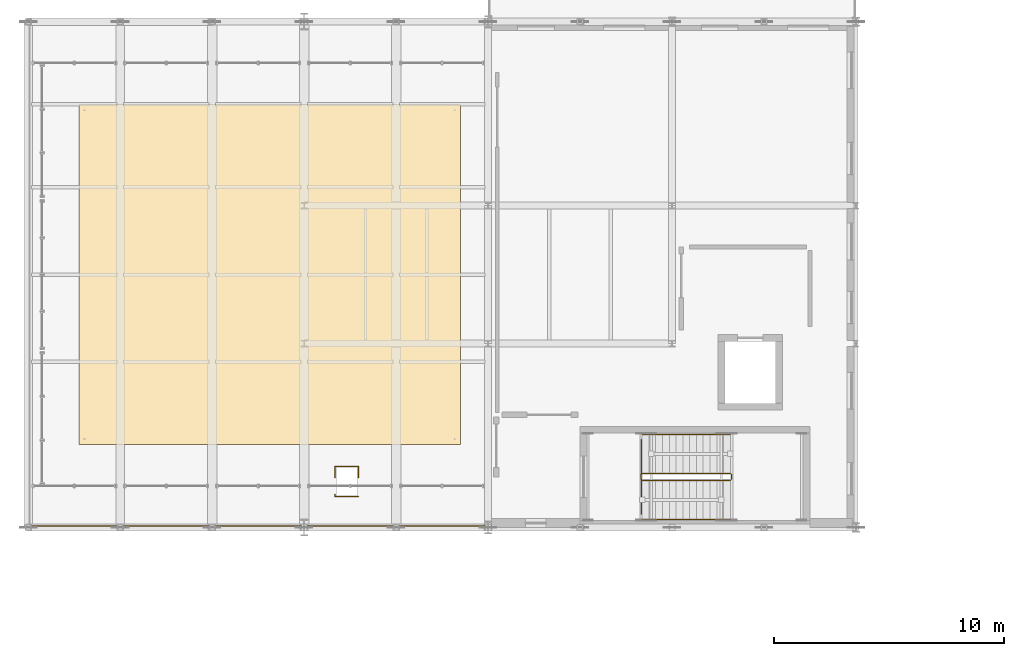
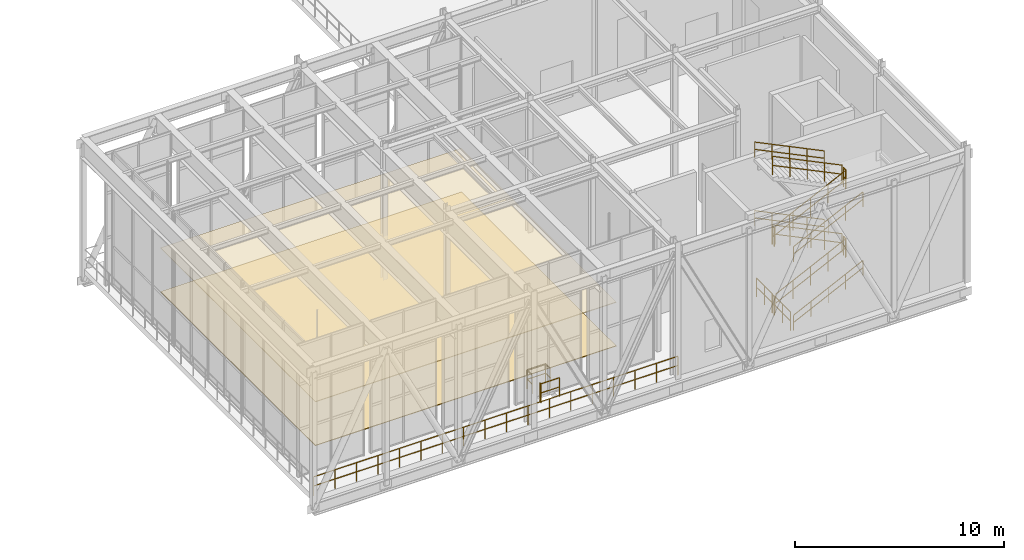
# One storey, part 125 of 138: 17 railings, 2 coverings.
"""IFC4 building model written with IfcOpenShell, lengths in metres."""

from ifc_helpers import new_model, si_unit, direction, frame, origin, origin_2d, place, context, subcontext, project, spatial, polyline, circle, outline, extrude, material, layer, layer_set, type_object, element, save


model = new_model("IFC4")

# Units and contexts
model_context = context("Model", 3, precision=1e-05, world=origin(), true_north=direction((0.0, 1.0)))
body_context = subcontext(model_context, "Body", "Model", "MODEL_VIEW")
ifc_project = project(units=[si_unit("LENGTHUNIT", "METRE"), si_unit("AREAUNIT", "SQUARE_METRE"), si_unit("VOLUMEUNIT", "CUBIC_METRE"), si_unit("PLANEANGLEUNIT", "RADIAN"), si_unit("MASSUNIT", "GRAM", prefix="KILO")], contexts=[model_context])

# Site, building, storey
site_placement = place(None, origin())
site = spatial("IfcSite", under=ifc_project, at=site_placement, CompositionType="ELEMENT")
building_placement = place(site_placement, origin())
building = spatial("IfcBuilding", under=site, at=building_placement, Name="Sundkrona Museum", CompositionType="ELEMENT")
storey_placement = place(building_placement, frame((0.0, 0.0, 9.60009765625)))
storey = spatial("IfcBuildingStorey", under=building, at=storey_placement, Name="L02", CompositionType="ELEMENT", Elevation=9.60009765625)

# Coverings
ifc_material_1 = material(Name="Perforated Acoustic Gypsum and Mineral Wool Ceiling", Category="other")
ifc_layer_1 = layer(ifc_material_1, 0.0400390625)
ifc_layer_set_1 = layer_set([ifc_layer_1], Name="Perforated Acoustic Gypsum and Mineral Wool Ceiling")
covering_type_1 = type_object("IfcCoveringType", Name="COV-CEIL-AC", PredefinedType="CEILING", material=ifc_layer_set_1)
covering_1_placement = place(storey_placement, frame((0.0, 0.0, 2.5498046875)))
element("IfcCovering", 1, at=covering_1_placement, inside=storey, type_object=covering_type_1, Name="L02 Sculpture Cantilever Gallery Acoustic Ceiling", PredefinedType="CEILING", context=body_context, shape_type="SweptSolid", body=[
    extrude(outline(polyline([(6.199951171875, 35.60009765625), (22.800048828125, 35.60009765625), (22.800048828125, 50.39990234375), (6.199951171875, 50.39990234375), (6.199951171875, 35.60009765625)])), origin(), (0.0, 0.0, 1.0), 0.0400390625),
])
ifc_material_2 = material(Name="Polished Scanian Limestone Terrazzo Flooring", Category="masonry")
ifc_layer_2 = layer(ifc_material_2, 0.034912109375)
ifc_layer_set_2 = layer_set([ifc_layer_2], Name="Polished Scanian Limestone Terrazzo Flooring")
covering_type_2 = type_object("IfcCoveringType", Name="COV-FLR-TZ", PredefinedType="FLOORING", material=ifc_layer_set_2)
covering_2_placement = place(storey_placement, origin())
element("IfcCovering", 2, at=covering_2_placement, inside=storey, type_object=covering_type_2, Name="L02 Sculpture Cantilever Gallery Terrazzo Flooring", PredefinedType="FLOORING", context=body_context, shape_type="SweptSolid", body=[
    extrude(outline(polyline([(6.199951171875, 35.60009765625), (22.800048828125, 35.60009765625), (22.800048828125, 50.39990234375), (6.199951171875, 50.39990234375), (6.199951171875, 35.60009765625)])), origin(), (0.0, 0.0, 1.0), 0.034912109375),
])

# Railings
ifc_material_3 = material(Name="Painted Steel S355J2 and Laminated Glass Balustrade", Category="steel")
railing_type_1 = type_object("IfcRailingType", Name="RL-GUARD-1100", PredefinedType="BALUSTRADE", material=ifc_material_3)
railing_1_placement = place(storey_placement, frame((30.699951171875, 34.050048828125, 0.142822265625)))
element("IfcRailing", 3, at=railing_1_placement, inside=storey, type_object=railing_type_1, Name="L02 ST-4 stair guard 1", PredefinedType="BALUSTRADE", context=body_context, shape_type="SweptSolid", body=[
    extrude(circle(Radius=0.02392578125, at=origin_2d()), frame((0.0, 0.0, 1.076171875), z_axis=(0.900016444443, 0.0, 0.435855939195), x_axis=(0.0, 1.0, 0.0)), (0.0, 0.0, 1.0), 4.260986328125),
    extrude(circle(Radius=0.02392578125, at=origin_2d()), frame((0.0, 0.0, 0.550048828125), z_axis=(0.900016444443, 0.0, 0.435855939195), x_axis=(0.0, 1.0, 0.0)), (0.0, 0.0, 1.0), 4.260986328125),
    extrude(circle(Radius=0.02099609375, at=origin_2d()), origin(), (0.0, 0.0, 1.0), 1.052001953125),
    extrude(circle(Radius=0.02099609375, at=origin_2d()), frame((0.958740234375, 0.0, 0.46435546875)), (0.0, 0.0, 1.0), 1.052001953125),
    extrude(circle(Radius=0.02099609375, at=origin_2d()), frame((1.91748046875, 0.0, 0.9287109375)), (0.0, 0.0, 1.0), 1.052001953125),
    extrude(circle(Radius=0.02099609375, at=origin_2d()), frame((2.876220703125, 0.0, 1.392822265625)), (0.0, 0.0, 1.0), 1.052001953125),
    extrude(circle(Radius=0.02099609375, at=origin_2d()), frame((3.8349609375, 0.0, 1.857177734375)), (0.0, 0.0, 1.0), 1.052001953125),
])
railing_2_placement = place(storey_placement, frame((34.5849609375, 34.10009765625, 2.0)))
element("IfcRailing", 4, at=railing_2_placement, inside=storey, type_object=railing_type_1, Name="L02 ST-4 stair guard 2", PredefinedType="BALUSTRADE", context=body_context, shape_type="SweptSolid", body=[
    extrude(circle(Radius=0.02392578125, at=origin_2d()), frame((0.0, 0.0, 1.076171875), z_axis=(0.0, 1.0, 0.0), x_axis=(-1.0, 0.0, 0.0)), (0.0, 0.0, 1.0), 0.199951171875),
    extrude(circle(Radius=0.02392578125, at=origin_2d()), frame((0.0, 0.0, 0.550048828125), z_axis=(0.0, 1.0, 0.0), x_axis=(-1.0, 0.0, 0.0)), (0.0, 0.0, 1.0), 0.199951171875),
    extrude(circle(Radius=0.02099609375, at=origin_2d()), origin(), (0.0, 0.0, 1.0), 1.052001953125),
    extrude(circle(Radius=0.02099609375, at=origin_2d()), frame((0.0, 0.199951171875, 0.0)), (0.0, 0.0, 1.0), 1.052001953125),
])
railing_3_placement = place(storey_placement, frame((34.534912109375, 34.35009765625, 2.142822265625)))
element("IfcRailing", 5, at=railing_3_placement, inside=storey, type_object=railing_type_1, Name="L02 ST-4 stair guard 3", PredefinedType="BALUSTRADE", context=body_context, shape_type="SweptSolid", body=[
    extrude(circle(Radius=0.02392578125, at=origin_2d()), frame((0.0, 0.0, 1.076171875), z_axis=(-0.900016444443, 0.0, 0.435855939195), x_axis=(0.0, -1.0, 0.0)), (0.0, 0.0, 1.0), 4.260986328125),
    extrude(circle(Radius=0.02392578125, at=origin_2d()), frame((0.0, 0.0, 0.550048828125), z_axis=(-0.900016444443, 0.0, 0.435855939195), x_axis=(0.0, -1.0, 0.0)), (0.0, 0.0, 1.0), 4.260986328125),
    extrude(circle(Radius=0.02099609375, at=origin_2d()), origin(), (0.0, 0.0, 1.0), 1.052001953125),
    extrude(circle(Radius=0.02099609375, at=origin_2d()), frame((-0.958740234375, 0.0, 0.46435546875)), (0.0, 0.0, 1.0), 1.052001953125),
    extrude(circle(Radius=0.02099609375, at=origin_2d()), frame((-1.91748046875, 0.0, 0.9287109375)), (0.0, 0.0, 1.0), 1.052001953125),
    extrude(circle(Radius=0.02099609375, at=origin_2d()), frame((-2.876220703125, 0.0, 1.392822265625)), (0.0, 0.0, 1.0), 1.052001953125),
    extrude(circle(Radius=0.02099609375, at=origin_2d()), frame((-3.8349609375, 0.0, 1.857177734375)), (0.0, 0.0, 1.0), 1.052001953125),
])
railing_4_placement = place(storey_placement, frame((30.64990234375, 34.10009765625, 4.0)))
element("IfcRailing", 6, at=railing_4_placement, inside=storey, type_object=railing_type_1, Name="L02 ST-4 stair guard 4", PredefinedType="BALUSTRADE", context=body_context, shape_type="SweptSolid", body=[
    extrude(circle(Radius=0.02392578125, at=origin_2d()), frame((0.0, 0.0, 1.076171875), z_axis=(0.0, 1.0, 0.0), x_axis=(-1.0, 0.0, 0.0)), (0.0, 0.0, 1.0), 0.199951171875),
    extrude(circle(Radius=0.02392578125, at=origin_2d()), frame((0.0, 0.0, 0.550048828125), z_axis=(0.0, 1.0, 0.0), x_axis=(-1.0, 0.0, 0.0)), (0.0, 0.0, 1.0), 0.199951171875),
    extrude(circle(Radius=0.02099609375, at=origin_2d()), origin(), (0.0, 0.0, 1.0), 1.052001953125),
    extrude(circle(Radius=0.02099609375, at=origin_2d()), frame((0.0, 0.199951171875, 0.0)), (0.0, 0.0, 1.0), 1.052001953125),
])
railing_5_placement = place(storey_placement, frame((30.699951171875, 34.050048828125, 4.142822265625)))
element("IfcRailing", 7, at=railing_5_placement, inside=storey, type_object=railing_type_1, Name="L02 ST-4 stair guard 5", PredefinedType="BALUSTRADE", context=body_context, shape_type="SweptSolid", body=[
    extrude(circle(Radius=0.02392578125, at=origin_2d()), frame((0.0, 0.0, 1.076171875), z_axis=(0.900016444443, 0.0, 0.435855939195), x_axis=(0.0, 1.0, 0.0)), (0.0, 0.0, 1.0), 4.260986328125),
    extrude(circle(Radius=0.02392578125, at=origin_2d()), frame((0.0, 0.0, 0.550048828125), z_axis=(0.900016444443, 0.0, 0.435855939195), x_axis=(0.0, 1.0, 0.0)), (0.0, 0.0, 1.0), 4.260986328125),
    extrude(circle(Radius=0.02099609375, at=origin_2d()), origin(), (0.0, 0.0, 1.0), 1.052001953125),
    extrude(circle(Radius=0.02099609375, at=origin_2d()), frame((0.958740234375, 0.0, 0.46435546875)), (0.0, 0.0, 1.0), 1.052001953125),
    extrude(circle(Radius=0.02099609375, at=origin_2d()), frame((1.91748046875, 0.0, 0.9287109375)), (0.0, 0.0, 1.0), 1.052001953125),
    extrude(circle(Radius=0.02099609375, at=origin_2d()), frame((2.876220703125, 0.0, 1.392822265625)), (0.0, 0.0, 1.0), 1.052001953125),
    extrude(circle(Radius=0.02099609375, at=origin_2d()), frame((3.8349609375, 0.0, 1.857177734375)), (0.0, 0.0, 1.0), 1.052001953125),
])
railing_6_placement = place(storey_placement, frame((34.5849609375, 34.10009765625, 6.0)))
element("IfcRailing", 8, at=railing_6_placement, inside=storey, type_object=railing_type_1, Name="L02 ST-4 stair guard 6", PredefinedType="BALUSTRADE", context=body_context, shape_type="SweptSolid", body=[
    extrude(circle(Radius=0.02392578125, at=origin_2d()), frame((0.0, 0.0, 1.076171875), z_axis=(0.0, 1.0, 0.0), x_axis=(-1.0, 0.0, 0.0)), (0.0, 0.0, 1.0), 0.199951171875),
    extrude(circle(Radius=0.02392578125, at=origin_2d()), frame((0.0, 0.0, 0.550048828125), z_axis=(0.0, 1.0, 0.0), x_axis=(-1.0, 0.0, 0.0)), (0.0, 0.0, 1.0), 0.199951171875),
    extrude(circle(Radius=0.02099609375, at=origin_2d()), origin(), (0.0, 0.0, 1.0), 1.052001953125),
    extrude(circle(Radius=0.02099609375, at=origin_2d()), frame((0.0, 0.199951171875, 0.0)), (0.0, 0.0, 1.0), 1.052001953125),
])
railing_7_placement = place(storey_placement, frame((34.534912109375, 34.35009765625, 6.142822265625)))
element("IfcRailing", 9, at=railing_7_placement, inside=storey, type_object=railing_type_1, Name="L02 ST-4 stair guard 7", PredefinedType="BALUSTRADE", context=body_context, shape_type="SweptSolid", body=[
    extrude(circle(Radius=0.02392578125, at=origin_2d()), frame((0.0, 0.0, 1.076171875), z_axis=(-0.900016444443, 0.0, 0.435855939195), x_axis=(0.0, -1.0, 0.0)), (0.0, 0.0, 1.0), 4.260986328125),
    extrude(circle(Radius=0.02392578125, at=origin_2d()), frame((0.0, 0.0, 0.550048828125), z_axis=(-0.900016444443, 0.0, 0.435855939195), x_axis=(0.0, -1.0, 0.0)), (0.0, 0.0, 1.0), 4.260986328125),
    extrude(circle(Radius=0.02099609375, at=origin_2d()), origin(), (0.0, 0.0, 1.0), 1.052001953125),
    extrude(circle(Radius=0.02099609375, at=origin_2d()), frame((-0.958740234375, 0.0, 0.46435546875)), (0.0, 0.0, 1.0), 1.052001953125),
    extrude(circle(Radius=0.02099609375, at=origin_2d()), frame((-1.91748046875, 0.0, 0.9287109375)), (0.0, 0.0, 1.0), 1.052001953125),
    extrude(circle(Radius=0.02099609375, at=origin_2d()), frame((-2.876220703125, 0.0, 1.392822265625)), (0.0, 0.0, 1.0), 1.052001953125),
    extrude(circle(Radius=0.02099609375, at=origin_2d()), frame((-3.8349609375, 0.0, 1.857177734375)), (0.0, 0.0, 1.0), 1.052001953125),
])
railing_8_placement = place(storey_placement, frame((30.64990234375, 34.10009765625, 0.0)))
element("IfcRailing", 10, at=railing_8_placement, inside=storey, type_object=railing_type_1, Name="L02 ST-4 stair guard 8", PredefinedType="BALUSTRADE", context=body_context, shape_type="SweptSolid", body=[
    extrude(circle(Radius=0.02392578125, at=origin_2d()), frame((0.0, 0.0, 1.076171875), z_axis=(0.0, 1.0, 0.0), x_axis=(-1.0, 0.0, 0.0)), (0.0, 0.0, 1.0), 0.199951171875),
    extrude(circle(Radius=0.02392578125, at=origin_2d()), frame((0.0, 0.0, 0.550048828125), z_axis=(0.0, 1.0, 0.0), x_axis=(-1.0, 0.0, 0.0)), (0.0, 0.0, 1.0), 0.199951171875),
    extrude(circle(Radius=0.02099609375, at=origin_2d()), origin(), (0.0, 0.0, 1.0), 1.052001953125),
    extrude(circle(Radius=0.02099609375, at=origin_2d()), frame((0.0, 0.199951171875, 0.0)), (0.0, 0.0, 1.0), 1.052001953125),
])
railing_9_placement = place(storey_placement, frame((24.155029296875, 32.06005859375, 0.0)))
element("IfcRailing", 11, at=railing_9_placement, inside=storey, type_object=railing_type_1, Name="L02 Edge Protection Balustrade 001", PredefinedType="BALUSTRADE", context=body_context, shape_type="SweptSolid", body=[
    extrude(circle(Radius=0.02392578125, at=origin_2d()), frame((0.0, 0.0, 1.09619140625), z_axis=(-1.0, 0.0, 0.0), x_axis=(0.0, -1.0, 0.0)), (0.0, 0.0, 1.0), 20.094970703125),
    extrude(circle(Radius=0.02392578125, at=origin_2d()), frame((0.0, 0.0, 0.56005859375), z_axis=(-1.0, 0.0, 0.0), x_axis=(0.0, -1.0, 0.0)), (0.0, 0.0, 1.0), 20.094970703125),
    extrude(circle(Radius=0.02099609375, at=origin_2d()), origin(), (0.0, 0.0, 1.0), 1.072021484375),
    extrude(circle(Radius=0.02099609375, at=origin_2d()), frame((-1.18212890625, 0.0, 0.0)), (0.0, 0.0, 1.0), 1.072021484375),
    extrude(circle(Radius=0.02099609375, at=origin_2d()), frame((-2.364013671875, 0.0, 0.0)), (0.0, 0.0, 1.0), 1.072021484375),
    extrude(circle(Radius=0.02099609375, at=origin_2d()), frame((-3.546142578125, 0.0, 0.0)), (0.0, 0.0, 1.0), 1.072021484375),
    extrude(circle(Radius=0.02099609375, at=origin_2d()), frame((-4.728271484375, 0.0, 0.0)), (0.0, 0.0, 1.0), 1.072021484375),
    extrude(circle(Radius=0.02099609375, at=origin_2d()), frame((-5.910400390625, 0.0, 0.0)), (0.0, 0.0, 1.0), 1.072021484375),
    extrude(circle(Radius=0.02099609375, at=origin_2d()), frame((-7.09228515625, 0.0, 0.0)), (0.0, 0.0, 1.0), 1.072021484375),
    extrude(circle(Radius=0.02099609375, at=origin_2d()), frame((-8.2744140625, 0.0, 0.0)), (0.0, 0.0, 1.0), 1.072021484375),
    extrude(circle(Radius=0.02099609375, at=origin_2d()), frame((-9.45654296875, 0.0, 0.0)), (0.0, 0.0, 1.0), 1.072021484375),
    extrude(circle(Radius=0.02099609375, at=origin_2d()), frame((-10.638427734375, 0.0, 0.0)), (0.0, 0.0, 1.0), 1.072021484375),
    extrude(circle(Radius=0.02099609375, at=origin_2d()), frame((-11.820556640625, 0.0, 0.0)), (0.0, 0.0, 1.0), 1.072021484375),
    extrude(circle(Radius=0.02099609375, at=origin_2d()), frame((-13.002685546875, 0.0, 0.0)), (0.0, 0.0, 1.0), 1.072021484375),
    extrude(circle(Radius=0.02099609375, at=origin_2d()), frame((-14.1845703125, 0.0, 0.0)), (0.0, 0.0, 1.0), 1.072021484375),
    extrude(circle(Radius=0.02099609375, at=origin_2d()), frame((-15.36669921875, 0.0, 0.0)), (0.0, 0.0, 1.0), 1.072021484375),
    extrude(circle(Radius=0.02099609375, at=origin_2d()), frame((-16.548828125, 0.0, 0.0)), (0.0, 0.0, 1.0), 1.072021484375),
    extrude(circle(Radius=0.02099609375, at=origin_2d()), frame((-17.73095703125, 0.0, 0.0)), (0.0, 0.0, 1.0), 1.072021484375),
    extrude(circle(Radius=0.02099609375, at=origin_2d()), frame((-18.912841796875, 0.0, 0.0)), (0.0, 0.0, 1.0), 1.072021484375),
    extrude(circle(Radius=0.02099609375, at=origin_2d()), frame((-20.094970703125, 0.0, 0.0)), (0.0, 0.0, 1.0), 1.072021484375),
])
railing_10_placement = place(storey_placement, frame((17.340087890625, 33.429931640625, 0.0)))
element("IfcRailing", 12, at=railing_10_placement, inside=storey, type_object=railing_type_1, Name="L02 Edge Protection Balustrade 003", PredefinedType="BALUSTRADE", context=body_context, shape_type="SweptSolid", body=[
    extrude(circle(Radius=0.02392578125, at=origin_2d()), frame((0.0, 0.0, 1.09619140625), z_axis=(0.0, -1.0, 0.0), x_axis=(1.0, 0.0, 0.0)), (0.0, 0.0, 1.0), 0.08984375),
    extrude(circle(Radius=0.02392578125, at=origin_2d()), frame((0.0, 0.0, 0.56005859375), z_axis=(0.0, -1.0, 0.0), x_axis=(1.0, 0.0, 0.0)), (0.0, 0.0, 1.0), 0.08984375),
    extrude(circle(Radius=0.02392578125, at=origin_2d()), frame((0.0, -0.08984375, 1.09619140625), z_axis=(1.0, 0.0, 0.0), x_axis=(0.0, 1.0, 0.0)), (0.0, 0.0, 1.0), 1.02001953125),
    extrude(circle(Radius=0.02392578125, at=origin_2d()), frame((0.0, -0.08984375, 0.56005859375), z_axis=(1.0, 0.0, 0.0), x_axis=(0.0, 1.0, 0.0)), (0.0, 0.0, 1.0), 1.02001953125),
    extrude(circle(Radius=0.02099609375, at=origin_2d()), origin(), (0.0, 0.0, 1.0), 1.072021484375),
    extrude(circle(Radius=0.02099609375, at=origin_2d()), frame((0.0, -0.08984375, 0.0)), (0.0, 0.0, 1.0), 1.072021484375),
    extrude(circle(Radius=0.02099609375, at=origin_2d()), frame((1.02001953125, -0.08984375, 0.0)), (0.0, 0.0, 1.0), 1.072021484375),
])
railing_11_placement = place(storey_placement, frame((18.360107421875, 34.169921875, 0.0)))
element("IfcRailing", 13, at=railing_11_placement, inside=storey, type_object=railing_type_1, Name="L02 Edge Protection Balustrade 004", PredefinedType="BALUSTRADE", context=body_context, shape_type="SweptSolid", body=[
    extrude(circle(Radius=0.02392578125, at=origin_2d()), frame((0.0, 0.0, 1.09619140625), z_axis=(0.0, 1.0, 0.0), x_axis=(-1.0, 0.0, 0.0)), (0.0, 0.0, 1.0), 0.489990234375),
    extrude(circle(Radius=0.02392578125, at=origin_2d()), frame((0.0, 0.0, 0.56005859375), z_axis=(0.0, 1.0, 0.0), x_axis=(-1.0, 0.0, 0.0)), (0.0, 0.0, 1.0), 0.489990234375),
    extrude(circle(Radius=0.02392578125, at=origin_2d()), frame((0.0, 0.489990234375, 1.09619140625), z_axis=(-1.0, 0.0, 0.0), x_axis=(0.0, -1.0, 0.0)), (0.0, 0.0, 1.0), 1.02001953125),
    extrude(circle(Radius=0.02392578125, at=origin_2d()), frame((0.0, 0.489990234375, 0.56005859375), z_axis=(-1.0, 0.0, 0.0), x_axis=(0.0, -1.0, 0.0)), (0.0, 0.0, 1.0), 1.02001953125),
    extrude(circle(Radius=0.02392578125, at=origin_2d()), frame((-1.02001953125, 0.489990234375, 1.09619140625), z_axis=(0.0, -1.0, 0.0), x_axis=(1.0, 0.0, 0.0)), (0.0, 0.0, 1.0), 0.489990234375),
    extrude(circle(Radius=0.02392578125, at=origin_2d()), frame((-1.02001953125, 0.489990234375, 0.56005859375), z_axis=(0.0, -1.0, 0.0), x_axis=(1.0, 0.0, 0.0)), (0.0, 0.0, 1.0), 0.489990234375),
    extrude(circle(Radius=0.02099609375, at=origin_2d()), origin(), (0.0, 0.0, 1.0), 1.072021484375),
    extrude(circle(Radius=0.02099609375, at=origin_2d()), frame((0.0, 0.489990234375, 0.0)), (0.0, 0.0, 1.0), 1.072021484375),
    extrude(circle(Radius=0.02099609375, at=origin_2d()), frame((-1.02001953125, 0.489990234375, 0.0)), (0.0, 0.0, 1.0), 1.072021484375),
    extrude(circle(Radius=0.02099609375, at=origin_2d()), frame((-1.02001953125, 0.0, 0.0)), (0.0, 0.0, 1.0), 1.072021484375),
])
for number, where, name in (
    (14, (30.6650390625, 34.10009765625, 0.0), "L02 Edge Protection Balustrade 009"),
    (15, (30.6650390625, 35.820068359375, 0.0), "L02 Edge Protection Balustrade 010"),
):
    element("IfcRailing", number, at=place(storey_placement, frame(where)), inside=storey, type_object=railing_type_1, Name=name, PredefinedType="BALUSTRADE", context=body_context, shape_type="SweptSolid", body=[
        extrude(circle(Radius=0.02392578125, at=origin_2d()), frame((0.0, 0.0, 1.09619140625), z_axis=(0.0, -1.0, 0.0), x_axis=(1.0, 0.0, 0.0)), (0.0, 0.0, 1.0), 1.52001953125),
        extrude(circle(Radius=0.02392578125, at=origin_2d()), frame((0.0, 0.0, 0.56005859375), z_axis=(0.0, -1.0, 0.0), x_axis=(1.0, 0.0, 0.0)), (0.0, 0.0, 1.0), 1.52001953125),
        extrude(circle(Radius=0.02099609375, at=origin_2d()), origin(), (0.0, 0.0, 1.0), 1.072021484375),
        extrude(circle(Radius=0.02099609375, at=origin_2d()), frame((0.0, -0.760009765625, 0.0)), (0.0, 0.0, 1.0), 1.072021484375),
        extrude(circle(Radius=0.02099609375, at=origin_2d()), frame((0.0, -1.52001953125, 0.0)), (0.0, 0.0, 1.0), 1.072021484375),
    ])
ifc_material_4 = material(Name="Brushed Bronze-Clad Steel Handrail", Category="steel")
railing_type_2 = type_object("IfcRailingType", Name="RL-HAND-900", PredefinedType="HANDRAIL", material=ifc_material_4)
railing_12_placement = place(storey_placement, frame((30.699951171875, 32.35009765625, 0.142822265625)))
element("IfcRailing", 16, at=railing_12_placement, inside=storey, type_object=railing_type_2, Name="L02 ST-4 stair handrail 1", PredefinedType="HANDRAIL", context=body_context, shape_type="SweptSolid", body=[
    extrude(circle(Radius=0.02392578125, at=origin_2d()), frame((0.0, 0.0, 0.8759765625), z_axis=(0.900016444443, 0.0, 0.435855939195), x_axis=(0.0, 1.0, 0.0)), (0.0, 0.0, 1.0), 4.260986328125),
    extrude(circle(Radius=0.02392578125, at=origin_2d()), frame((0.0, 0.0, 0.449951171875), z_axis=(0.900016444443, 0.0, 0.435855939195), x_axis=(0.0, 1.0, 0.0)), (0.0, 0.0, 1.0), 4.260986328125),
    extrude(circle(Radius=0.02099609375, at=origin_2d()), origin(), (0.0, 0.0, 1.0), 0.851806640625),
    extrude(circle(Radius=0.02099609375, at=origin_2d()), frame((0.958740234375, 0.0, 0.46435546875)), (0.0, 0.0, 1.0), 0.851806640625),
    extrude(circle(Radius=0.02099609375, at=origin_2d()), frame((1.91748046875, 0.0, 0.9287109375)), (0.0, 0.0, 1.0), 0.851806640625),
    extrude(circle(Radius=0.02099609375, at=origin_2d()), frame((2.876220703125, 0.0, 1.392822265625)), (0.0, 0.0, 1.0), 0.851806640625),
    extrude(circle(Radius=0.02099609375, at=origin_2d()), frame((3.8349609375, 0.0, 1.857177734375)), (0.0, 0.0, 1.0), 0.851806640625),
])
railing_13_placement = place(storey_placement, frame((34.534912109375, 36.050048828125, 2.142822265625)))
element("IfcRailing", 17, at=railing_13_placement, inside=storey, type_object=railing_type_2, Name="L02 ST-4 stair handrail 2", PredefinedType="HANDRAIL", context=body_context, shape_type="SweptSolid", body=[
    extrude(circle(Radius=0.02392578125, at=origin_2d()), frame((0.0, 0.0, 0.8759765625), z_axis=(-0.900016444443, 0.0, 0.435855939195), x_axis=(0.0, -1.0, 0.0)), (0.0, 0.0, 1.0), 4.260986328125),
    extrude(circle(Radius=0.02392578125, at=origin_2d()), frame((0.0, 0.0, 0.449951171875), z_axis=(-0.900016444443, 0.0, 0.435855939195), x_axis=(0.0, -1.0, 0.0)), (0.0, 0.0, 1.0), 4.260986328125),
    extrude(circle(Radius=0.02099609375, at=origin_2d()), origin(), (0.0, 0.0, 1.0), 0.851806640625),
    extrude(circle(Radius=0.02099609375, at=origin_2d()), frame((-0.958740234375, 0.0, 0.46435546875)), (0.0, 0.0, 1.0), 0.851806640625),
    extrude(circle(Radius=0.02099609375, at=origin_2d()), frame((-1.91748046875, 0.0, 0.9287109375)), (0.0, 0.0, 1.0), 0.851806640625),
    extrude(circle(Radius=0.02099609375, at=origin_2d()), frame((-2.876220703125, 0.0, 1.392822265625)), (0.0, 0.0, 1.0), 0.851806640625),
    extrude(circle(Radius=0.02099609375, at=origin_2d()), frame((-3.8349609375, 0.0, 1.857177734375)), (0.0, 0.0, 1.0), 0.851806640625),
])
railing_14_placement = place(storey_placement, frame((30.699951171875, 32.35009765625, 4.142822265625)))
element("IfcRailing", 18, at=railing_14_placement, inside=storey, type_object=railing_type_2, Name="L02 ST-4 stair handrail 3", PredefinedType="HANDRAIL", context=body_context, shape_type="SweptSolid", body=[
    extrude(circle(Radius=0.02392578125, at=origin_2d()), frame((0.0, 0.0, 0.8759765625), z_axis=(0.900016444443, 0.0, 0.435855939195), x_axis=(0.0, 1.0, 0.0)), (0.0, 0.0, 1.0), 4.260986328125),
    extrude(circle(Radius=0.02392578125, at=origin_2d()), frame((0.0, 0.0, 0.449951171875), z_axis=(0.900016444443, 0.0, 0.435855939195), x_axis=(0.0, 1.0, 0.0)), (0.0, 0.0, 1.0), 4.260986328125),
    extrude(circle(Radius=0.02099609375, at=origin_2d()), origin(), (0.0, 0.0, 1.0), 0.851806640625),
    extrude(circle(Radius=0.02099609375, at=origin_2d()), frame((0.958740234375, 0.0, 0.46435546875)), (0.0, 0.0, 1.0), 0.851806640625),
    extrude(circle(Radius=0.02099609375, at=origin_2d()), frame((1.91748046875, 0.0, 0.9287109375)), (0.0, 0.0, 1.0), 0.851806640625),
    extrude(circle(Radius=0.02099609375, at=origin_2d()), frame((2.876220703125, 0.0, 1.392822265625)), (0.0, 0.0, 1.0), 0.851806640625),
    extrude(circle(Radius=0.02099609375, at=origin_2d()), frame((3.8349609375, 0.0, 1.857177734375)), (0.0, 0.0, 1.0), 0.851806640625),
])
railing_15_placement = place(storey_placement, frame((34.534912109375, 36.050048828125, 6.142822265625)))
element("IfcRailing", 19, at=railing_15_placement, inside=storey, type_object=railing_type_2, Name="L02 ST-4 stair handrail 4", PredefinedType="HANDRAIL", context=body_context, shape_type="SweptSolid", body=[
    extrude(circle(Radius=0.02392578125, at=origin_2d()), frame((0.0, 0.0, 0.8759765625), z_axis=(-0.900016444443, 0.0, 0.435855939195), x_axis=(0.0, -1.0, 0.0)), (0.0, 0.0, 1.0), 4.260986328125),
    extrude(circle(Radius=0.02392578125, at=origin_2d()), frame((0.0, 0.0, 0.449951171875), z_axis=(-0.900016444443, 0.0, 0.435855939195), x_axis=(0.0, -1.0, 0.0)), (0.0, 0.0, 1.0), 4.260986328125),
    extrude(circle(Radius=0.02099609375, at=origin_2d()), origin(), (0.0, 0.0, 1.0), 0.851806640625),
    extrude(circle(Radius=0.02099609375, at=origin_2d()), frame((-0.958740234375, 0.0, 0.46435546875)), (0.0, 0.0, 1.0), 0.851806640625),
    extrude(circle(Radius=0.02099609375, at=origin_2d()), frame((-1.91748046875, 0.0, 0.9287109375)), (0.0, 0.0, 1.0), 0.851806640625),
    extrude(circle(Radius=0.02099609375, at=origin_2d()), frame((-2.876220703125, 0.0, 1.392822265625)), (0.0, 0.0, 1.0), 0.851806640625),
    extrude(circle(Radius=0.02099609375, at=origin_2d()), frame((-3.8349609375, 0.0, 1.857177734375)), (0.0, 0.0, 1.0), 0.851806640625),
])

save(model, "model.ifc")
